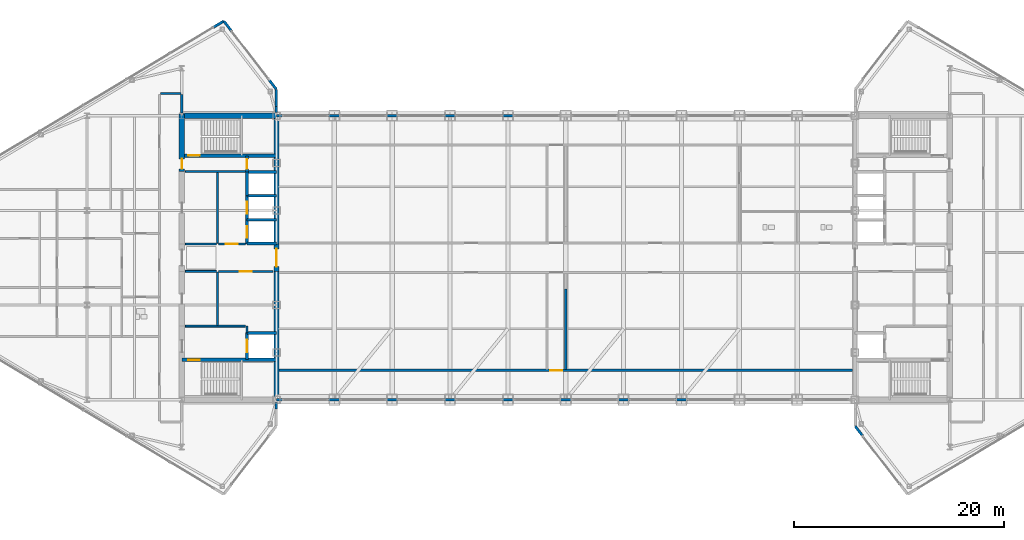
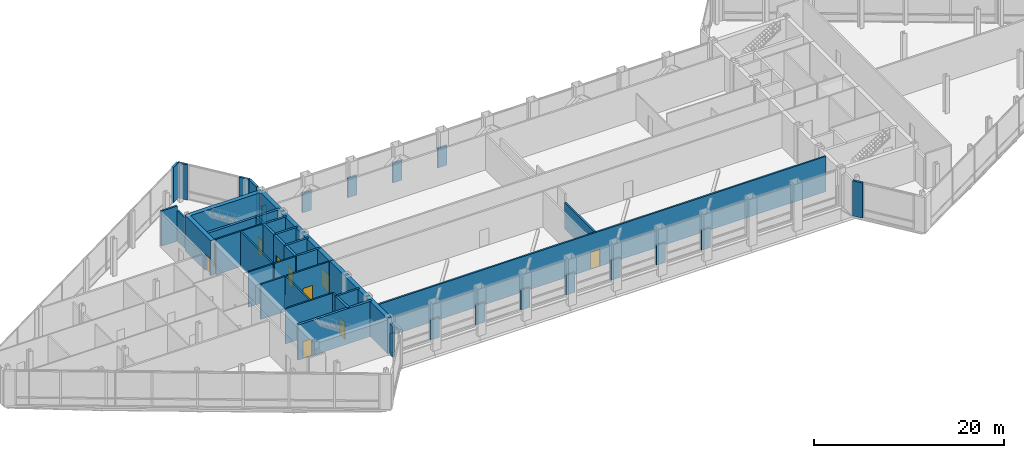
# One storey, part 23 of 29: 50 walls, 11 doors, 11 openings.
"""IFC4 building model written with IfcOpenShell, lengths in metres."""

import ifcopenshell
import ifcopenshell.guid

model = None  # the IFC model being written
_history = None  # IfcOwnerHistory: only IFC2X3 demands one
_inside = {}  # id of a spatial element -> (the spatial element, [elements in it])
_under = {}  # id of a project, library or spatial element -> (it, [spatial elements below it])
_declared = {}  # id of a project -> (the project, [libraries it declares])
_typed = {}  # id of a type object -> (the type object, [elements of that type])
_made_of = {}  # id of a material, layer set ... -> (it, [elements and type objects made of it])


def new_model(schema):
    """Start an empty IFC model of exactly this schema.

    Asked for "IFC4X3", IfcOpenShell would pick the latest addendum, in which some entities
    have other attributes; the version numbers below select the first issue.
    IFC2X3 requires an IfcOwnerHistory on every rooted entity: one is made here for all.
    """
    global model, _history
    if schema == "IFC4X3":
        model = ifcopenshell.file(schema_version=(4, 3, 0, 0))
    else:
        model = ifcopenshell.file(schema=schema)
    _inside.clear()
    _under.clear()
    _declared.clear()
    _typed.clear()
    _made_of.clear()
    _history = None
    if model.schema == "IFC2X3":
        org = make("IfcOrganization", Name="unknown")
        user = make(
            "IfcPersonAndOrganization",
            ThePerson=make("IfcPerson", FamilyName="unknown"),
            TheOrganization=org,
        )
        app = make(
            "IfcApplication",
            ApplicationDeveloper=org,
            Version="unknown",
            ApplicationFullName="unknown",
            ApplicationIdentifier="unknown",
        )
        _history = make(
            "IfcOwnerHistory",
            OwningUser=user,
            OwningApplication=app,
            ChangeAction="ADDED",
            CreationDate=0,
        )
    return model


def make(cls, **values):
    """One entity of the class cls with the attributes given. An attribute that is None is left unset."""
    return model.create_entity(
        cls, **{name: value for name, value in values.items() if value is not None}
    )


def rooted(cls, **values):
    """An entity with a GlobalId (a new one), such as an element, a storey or a relation."""
    return make(cls, GlobalId=ifcopenshell.guid.new(), OwnerHistory=_history, **values)


def si_unit(unit_type, name, prefix=None):
    """IfcSIUnit, for example si_unit("LENGTHUNIT", "METRE", prefix="MILLI")."""
    return make("IfcSIUnit", UnitType=unit_type, Prefix=prefix, Name=name)


def assignment(units):
    """IfcUnitAssignment: the units of a project."""
    return None if units is None else make("IfcUnitAssignment", Units=units)


def point(xyz):
    """IfcCartesianPoint."""
    return None if xyz is None else make("IfcCartesianPoint", Coordinates=xyz)


def direction(xyz):
    """IfcDirection."""
    return None if xyz is None else make("IfcDirection", DirectionRatios=xyz)


def frame(location, z_axis=None, x_axis=None):
    """IfcAxis2Placement3D, a coordinate frame: its origin and axes. An axis left out is left unset."""
    return make(
        "IfcAxis2Placement3D",
        Location=point(location),
        Axis=direction(z_axis),
        RefDirection=direction(x_axis),
    )


def frame_2d(location, x_axis=None):
    """IfcAxis2Placement2D, a coordinate frame in the plane: its origin and x axis."""
    return make(
        "IfcAxis2Placement2D", Location=point(location), RefDirection=direction(x_axis)
    )


def origin():
    """The frame at (0, 0, 0) with its axes left unset."""
    return frame((0.0, 0.0, 0.0))


def place(relative_to, where):
    """IfcLocalPlacement: puts the frame where relative to a parent placement (None: the world)."""
    return make(
        "IfcLocalPlacement", PlacementRelTo=relative_to, RelativePlacement=where
    )


def context(
    kind, dimensions, precision=None, world=None, true_north=None, identifier=None
):
    """IfcGeometricRepresentationContext, for example the 3D "Model" context."""
    return make(
        "IfcGeometricRepresentationContext",
        ContextIdentifier=identifier,
        ContextType=kind,
        CoordinateSpaceDimension=dimensions,
        Precision=precision,
        WorldCoordinateSystem=world,
        TrueNorth=true_north,
    )


def subcontext(parent, identifier, kind, view, scale=None):
    """IfcGeometricRepresentationSubContext, for example "Body" below "Model"."""
    return make(
        "IfcGeometricRepresentationSubContext",
        ContextIdentifier=identifier,
        ContextType=kind,
        ParentContext=parent,
        TargetScale=scale,
        TargetView=view,
    )


def project(units=None, contexts=None):
    """IfcProject with its units and contexts."""
    return rooted(
        "IfcProject",
        Name="project",
        RepresentationContexts=contexts,
        UnitsInContext=assignment(units),
    )


def spatial(cls, under=None, at=None, **own):
    """A site, building, storey or space (cls), placed at a placement, below another one or the project."""
    s = rooted(cls, ObjectPlacement=at, **own)
    if under is not None:
        _under.setdefault(under.id(), (under, []))[1].append(s)
    return s


def profile(cls, at=None, kind="AREA", **sizes):
    """A parametric profile (cls). Its sizes go by their IFC names, for example OverallWidth=200.0."""
    return make(cls, ProfileType=kind, Position=at, **sizes)


def rectangle(**sizes):
    """IfcRectangleProfileDef."""
    return profile("IfcRectangleProfileDef", **sizes)


def extrude(swept, where, along, depth):
    """IfcExtrudedAreaSolid: the profile swept, set in the frame where, extruded along a direction by depth."""
    return make(
        "IfcExtrudedAreaSolid",
        SweptArea=swept,
        Position=where,
        ExtrudedDirection=direction(along),
        Depth=depth,
    )


def shape(context_of_items, identifier, shape_type, items):
    """IfcShapeRepresentation: the items that make up one representation, for example the "Body"."""
    return make(
        "IfcShapeRepresentation",
        ContextOfItems=context_of_items,
        RepresentationIdentifier=identifier,
        RepresentationType=shape_type,
        Items=items,
    )


def source(mapping_origin, context_of_items, identifier, shape_type, items):
    """IfcRepresentationMap: a shape defined once, which mapped items show again and again."""
    return make(
        "IfcRepresentationMap",
        MappingOrigin=mapping_origin,
        MappedRepresentation=shape(context_of_items, identifier, shape_type, items),
    )


def transform(
    local_origin,
    x_axis=None,
    y_axis=None,
    z_axis=None,
    scale=None,
    scale2=None,
    scale3=None,
    uniform=True,
):
    """IfcCartesianTransformationOperator3D, or its non-uniform kind. x_axis, y_axis, z_axis: its Axis1, 2, 3."""
    if uniform:
        return make(
            "IfcCartesianTransformationOperator3D",
            Axis1=direction(x_axis),
            Axis2=direction(y_axis),
            LocalOrigin=point(local_origin),
            Scale=scale,
            Axis3=direction(z_axis),
        )
    return make(
        "IfcCartesianTransformationOperator3DnonUniform",
        Axis1=direction(x_axis),
        Axis2=direction(y_axis),
        LocalOrigin=point(local_origin),
        Scale=scale,
        Axis3=direction(z_axis),
        Scale2=scale2,
        Scale3=scale3,
    )


def mapped(mapping_source, mapping_target):
    """IfcMappedItem: shows the shape of a source again, moved by a transform."""
    return make(
        "IfcMappedItem", MappingSource=mapping_source, MappingTarget=mapping_target
    )


def material(Name=None, Category=None):
    """IfcMaterial."""
    return make("IfcMaterial", Name=Name, Category=Category)


def layer(
    of_material, thickness, ventilated=None, Name=None, Category=None, Priority=None
):
    """IfcMaterialLayer: one layer of a wall or slab, of a material (None: an air gap)."""
    return make(
        "IfcMaterialLayer",
        Material=of_material,
        LayerThickness=thickness,
        IsVentilated=ventilated,
        Name=Name,
        Category=Category,
        Priority=Priority,
    )


def layer_set(layers, Name=None):
    """IfcMaterialLayerSet."""
    return make("IfcMaterialLayerSet", MaterialLayers=layers, LayerSetName=Name)


def made_of(thing, what):
    """Note that an element or type object is made of a material, layer set ...; save() writes the relation."""
    if what is not None:
        _made_of.setdefault(what.id(), (what, []))[1].append(thing)
    return thing


def type_object(cls, material=None, **own):
    """A type object (cls), such as IfcWallType, which elements share."""
    return made_of(rooted(cls, **own), material)


def type_shapes(of_type, sources):
    """Give a type object the sources (RepresentationMaps) that its elements show as mapped items."""
    of_type.RepresentationMaps = sources


def element(
    cls,
    number,
    at=None,
    inside=None,
    cuts=None,
    type_object=None,
    material=None,
    context=None,
    identifier="Body",
    shape_type=None,
    held_by="IfcProductDefinitionShape",
    body=None,
    shapes=None,
    **own,
):
    """One element of the class cls, such as IfcWall. Its Tag is "e" and its number.

    at: its placement. inside: the storey or other place that contains it. cuts: it is an
    opening in that element (IfcRelVoidsElement). A single representation is given by context,
    identifier, shape_type and body (its items); several are given by shapes. held_by: the class
    of the entity that holds the representations. save() writes the other relations.
    """
    e = rooted(cls, Tag="e%d" % number, ObjectPlacement=at, **own)
    if body is not None:
        shapes = [shape(context, identifier, shape_type, body)]
    if shapes is not None:
        e.Representation = make(held_by, Representations=shapes)
    if inside is not None:
        _inside.setdefault(inside.id(), (inside, []))[1].append(e)
    if cuts is not None:
        rooted(
            "IfcRelVoidsElement", RelatingBuildingElement=cuts, RelatedOpeningElement=e
        )
    if type_object is not None:
        _typed.setdefault(type_object.id(), (type_object, []))[1].append(e)
    return made_of(e, material)


def fill(opening, filler):
    """IfcRelFillsElement: the door or window that sits in an opening."""
    return rooted(
        "IfcRelFillsElement",
        RelatingOpeningElement=opening,
        RelatedBuildingElement=filler,
    )


def aggregate(whole, parts):
    """IfcRelAggregates: a whole, such as a stair, and the parts it consists of."""
    return rooted("IfcRelAggregates", RelatingObject=whole, RelatedObjects=parts)


def save(model, path):
    """Write the relations noted so far, then the file.

    IfcRelAggregates (storeys below a building ...), IfcRelContainedInSpatialStructure (elements
    in a storey), IfcRelDefinesByType, IfcRelAssociatesMaterial and IfcRelDeclares: one each for
    every whole, place, type object, material and project.
    """
    for whole, parts in _under.values():
        aggregate(whole, parts)
    for where, things in _inside.values():
        rooted(
            "IfcRelContainedInSpatialStructure",
            RelatedElements=things,
            RelatingStructure=where,
        )
    for kind, things in _typed.values():
        rooted("IfcRelDefinesByType", RelatedObjects=things, RelatingType=kind)
    for what, things in _made_of.values():
        rooted("IfcRelAssociatesMaterial", RelatedObjects=things, RelatingMaterial=what)
    for by, libraries in _declared.values():
        rooted("IfcRelDeclares", RelatingContext=by, RelatedDefinitions=libraries)
    model.write(path)


model = new_model("IFC4")

# Units and contexts
model_context = context("Model", 3, precision=1e-05, world=origin(), true_north=direction((0.0, 1.0)))
body_context = subcontext(model_context, "Body", "Model", "MODEL_VIEW")
ifc_project = project(units=[si_unit("LENGTHUNIT", "METRE"), si_unit("AREAUNIT", "SQUARE_METRE"), si_unit("VOLUMEUNIT", "CUBIC_METRE"), si_unit("PLANEANGLEUNIT", "RADIAN"), si_unit("MASSUNIT", "GRAM", prefix="KILO")], contexts=[model_context])

# Site, building, storey
site_placement = place(None, origin())
site = spatial("IfcSite", under=ifc_project, at=site_placement, CompositionType="ELEMENT")
building_placement = place(site_placement, origin())
building = spatial("IfcBuilding", under=site, at=building_placement, Name="Seokmaru Belvedere", CompositionType="ELEMENT")
storey_placement = place(building_placement, frame((0.0, 0.0, 229.800048828125)))
storey = spatial("IfcBuildingStorey", under=building, at=storey_placement, Name="L61", CompositionType="ELEMENT", Elevation=229.800048828125)

# Walls
ifc_material_1 = material(Name="Anodised Bronze Aluminium", Category="aluminium")
ifc_layer_1 = layer(ifc_material_1, 0.2099609375)
ifc_layer_set_1 = layer_set([ifc_layer_1], Name="Anodised Bronze Aluminium")
wall_type_1 = type_object("IfcWallType", Name="Bridge Column Spandrel Closure Pier 210", PredefinedType="SOLIDWALL", material=ifc_layer_set_1)
for number, where, z_axis, x_axis, name in (
    (1, (-27.489990234375, -13.5, 0.0), (0.0, 0.0, 1.0), (1.0, 0.0, 0.0), "L61 Bridge South Column Closure Pier 01"),
    (2, (-27.489990234375, 13.5, 0.0), (0.0, 0.0, 1.0), (1.0, 0.0, 0.0), "L61 Bridge North Column Closure Pier 01"),
):
    element("IfcWall", number, at=place(storey_placement, frame(where, z_axis=z_axis, x_axis=x_axis)), inside=storey, type_object=wall_type_1, Name=name, PredefinedType="SOLIDWALL", context=body_context, shape_type="SweptSolid", body=[
        extrude(rectangle(XDim=0.5400390625, YDim=0.2099609375, at=frame_2d((0.27001953125, 0.0))), origin(), (0.0, 0.0, 1.0), 2.5400390625),
    ])
for number, where, z_axis, x_axis, name in (
    (3, (-22.550048828125, -13.5, 0.0), (0.0, 0.0, 1.0), (1.0, 0.0, 0.0), "L61 Bridge South Column Closure Pier 02"),
    (4, (-22.550048828125, 13.5, 0.0), (0.0, 0.0, 1.0), (1.0, 0.0, 0.0), "L61 Bridge North Column Closure Pier 02"),
    (5, (-17.050048828125, -13.5, 0.0), (0.0, 0.0, 1.0), (1.0, 0.0, 0.0), "L61 Bridge South Column Closure Pier 03"),
    (6, (-17.050048828125, 13.5, 0.0), (0.0, 0.0, 1.0), (1.0, 0.0, 0.0), "L61 Bridge North Column Closure Pier 03"),
    (7, (-11.550048828125, -13.5, 0.0), (0.0, 0.0, 1.0), (1.0, 0.0, 0.0), "L61 Bridge South Column Closure Pier 04"),
    (8, (-11.550048828125, 13.5, 0.0), (0.0, 0.0, 1.0), (1.0, 0.0, 0.0), "L61 Bridge North Column Closure Pier 04"),
    (9, (-6.050048828125, -13.5, 0.0), (0.0, 0.0, 1.0), (1.0, 0.0, 0.0), "L61 Bridge South Column Closure Pier 05"),
    (10, (-6.050048828125, 13.5, 0.0), (0.0, 0.0, 1.0), (1.0, 0.0, 0.0), "L61 Bridge North Column Closure Pier 05"),
    (11, (-0.550048828125, -13.5, 0.0), (0.0, 0.0, 1.0), (1.0, 0.0, 0.0), "L61 Bridge South Column Closure Pier 06"),
    (12, (4.949951171875, -13.5, 0.0), (0.0, 0.0, 1.0), (1.0, 0.0, 0.0), "L61 Bridge South Column Closure Pier 07"),
    (13, (10.449951171875, -13.5, 0.0), (0.0, 0.0, 1.0), (1.0, 0.0, 0.0), "L61 Bridge South Column Closure Pier 08"),
):
    element("IfcWall", number, at=place(storey_placement, frame(where, z_axis=z_axis, x_axis=x_axis)), inside=storey, type_object=wall_type_1, Name=name, PredefinedType="SOLIDWALL", context=body_context, shape_type="SweptSolid", body=[
        extrude(rectangle(XDim=1.10009765625, YDim=0.2099609375, at=frame_2d((0.550048828125, 0.0))), origin(), (0.0, 0.0, 1.0), 2.5400390625),
    ])
ifc_material_2 = material(Name="Fire-Rated Gypsum Shaftwall")
ifc_layer_2 = layer(ifc_material_2, 0.179931640625)
ifc_layer_set_2 = layer_set([ifc_layer_2], Name="Fire-Rated Gypsum Shaftwall")
wall_type_2 = type_object("IfcWallType", Name="Core Service Fire Partition 180", PredefinedType="PARTITIONING", material=ifc_layer_set_2)
wall_1_placement = place(storey_placement, frame((-36.14990234375, -6.5, 0.0), z_axis=(0.0, 0.0, 1.0), x_axis=(1.0, 0.0, 0.0)))
element("IfcWall", 14, at=wall_1_placement, inside=storey, type_object=wall_type_2, Name="L61 West Firefighting Lobby Partition", PredefinedType="PARTITIONING", context=body_context, shape_type="SweptSolid", body=[
    extrude(rectangle(XDim=5.699951171875, YDim=0.179931640625, at=frame_2d((2.85009765625, 0.0))), origin(), (0.0, 0.0, 1.0), 4.5400390625),
])
wall_2_placement = place(storey_placement, frame((-30.300048828125, -7.1201171875, 0.0), z_axis=(0.0, 0.0, 1.0), x_axis=(0.0, 1.0, 0.0)))
element("IfcWall", 15, at=wall_2_placement, inside=storey, type_object=wall_type_2, Name="L61 West Firefighting Lobby East Closure Wall", PredefinedType="PARTITIONING", context=body_context, shape_type="SweptSolid", body=[
    extrude(rectangle(XDim=0.6201171875, YDim=0.179931640625, at=frame_2d((0.31005859375, 0.0))), origin(), (0.0, 0.0, 1.0), 4.5400390625),
])
wall_3_placement = place(storey_placement, frame((-36.14990234375, 8.199951171875, 0.0), z_axis=(0.0, 0.0, 1.0), x_axis=(1.0, 0.0, 0.0)))
element("IfcWall", 16, at=wall_3_placement, inside=storey, type_object=wall_type_2, Name="L61 West Smokeproof Vestibule Partition", PredefinedType="PARTITIONING", context=body_context, shape_type="SweptSolid", body=[
    extrude(rectangle(XDim=5.699951171875, YDim=0.179931640625, at=frame_2d((2.85009765625, 0.0))), origin(), (0.0, 0.0, 1.0), 4.5400390625),
])
wall_4_placement = place(storey_placement, frame((-33.10009765625, -6.419921875, 0.0), z_axis=(0.0, 0.0, 1.0), x_axis=(0.0, 1.0, 0.0)))
element("IfcWall", 17, at=wall_4_placement, inside=storey, type_object=wall_type_2, Name="L61 West South Core Service Back Wall", PredefinedType="PARTITIONING", context=body_context, shape_type="SweptSolid", body=[
    extrude(rectangle(XDim=5.0400390625, YDim=0.179931640625, at=frame_2d((2.52001953125, 0.0))), origin(), (0.0, 0.0, 1.0), 4.5400390625),
])
wall_5_placement = place(storey_placement, frame((-33.10009765625, 1.3798828125, 0.0), z_axis=(0.0, 0.0, 1.0), x_axis=(0.0, 1.0, 0.0)))
element("IfcWall", 18, at=wall_5_placement, inside=storey, type_object=wall_type_2, Name="L61 West North Core Service Back Wall", PredefinedType="PARTITIONING", context=body_context, shape_type="SweptSolid", body=[
    extrude(rectangle(XDim=6.740234375, YDim=0.179931640625, at=frame_2d((3.3701171875, 0.0))), origin(), (0.0, 0.0, 1.0), 4.5400390625),
])

# Wall, opening, door
wall_6_placement = place(storey_placement, frame((-33.02001953125, -1.300048828125, 0.0), z_axis=(0.0, 0.0, 1.0), x_axis=(1.0, 0.0, 0.0)))
wall_6 = element("IfcWall", 19, at=wall_6_placement, inside=storey, type_object=wall_type_2, Name="L61 West South Lift Lobby Foyer Wall", PredefinedType="PARTITIONING", context=body_context, shape_type="SweptSolid", body=[
    extrude(rectangle(XDim=5.169921875, YDim=0.179931640625, at=frame_2d((2.5849609375, 0.0))), origin(), (0.0, 0.0, 1.0), 4.5400390625),
])
opening_1_placement = place(wall_6_placement, frame((2.010009765625, 0.0, 0.0)))
opening_1 = element("IfcOpeningElement", 20, at=opening_1_placement, cuts=wall_6, Name="Opening D02", PredefinedType="OPENING", context=body_context, shape_type="SweptSolid", body=[
    extrude(rectangle(XDim=1.14990234375, YDim=2.199951171875, at=frame_2d((0.574951171875, 1.10009765625))), frame((0.0, 0.10009765625, 0.0), z_axis=(0.0, -1.0, 0.0), x_axis=(1.0, 0.0, 0.0)), (0.0, 0.0, 1.0), 0.199951171875),
])
ifc_material_3 = material(Name="Fire-Rated Steel Leaf", Category="steel")
door_type_1 = type_object("IfcDoorType", Name="Lobby and Vestibule Fire Door 1150x2200", OperationType="NOTDEFINED", PredefinedType="DOOR", material=ifc_material_3)
shared_shape_1 = source(origin(), body_context, "Body", "SweptSolid", [
    extrude(rectangle(XDim=1.14990234375, YDim=2.199951171875, at=frame_2d((0.574951171875, 1.10009765625))), frame((0.0, 0.02490234375, 0.0), z_axis=(0.0, -1.0, 0.0), x_axis=(1.0, 0.0, 0.0)), (0.0, 0.0, 1.0), 0.050048828125),
])
type_shapes(door_type_1, [shared_shape_1])
door_1_placement = place(opening_1_placement, origin())
door_1 = element("IfcDoor", 21, at=door_1_placement, inside=storey, type_object=door_type_1, Name="L61 West South Core Foyer Door", OperationType="SINGLE_SWING_LEFT", OverallHeight=2.199951171875, OverallWidth=1.14990234375, PredefinedType="DOOR", context=body_context, shape_type="MappedRepresentation", body=[
    mapped(shared_shape_1, transform((0.0, 0.0, 0.0), scale=1.0)),
])
fill(opening_1, door_1)

wall_7_placement = place(storey_placement, frame((-33.02001953125, 1.300048828125, 0.0), z_axis=(0.0, 0.0, 1.0), x_axis=(1.0, 0.0, 0.0)))
wall_7 = element("IfcWall", 22, at=wall_7_placement, inside=storey, type_object=wall_type_2, Name="L61 West North Lift Lobby Foyer Wall", PredefinedType="PARTITIONING", context=body_context, shape_type="SweptSolid", body=[
    extrude(rectangle(XDim=2.570068359375, YDim=0.179931640625, at=frame_2d((1.28515625, 0.0))), origin(), (0.0, 0.0, 1.0), 4.5400390625),
])
opening_2_placement = place(wall_7_placement, frame((0.7099609375, 0.0, 0.0)))
opening_2 = element("IfcOpeningElement", 23, at=opening_2_placement, cuts=wall_7, Name="Opening D02", PredefinedType="OPENING", context=body_context, shape_type="SweptSolid", body=[
    extrude(rectangle(XDim=1.14990234375, YDim=2.199951171875, at=frame_2d((0.574951171875, 1.10009765625))), frame((0.0, 0.10009765625, 0.0), z_axis=(0.0, -1.0, 0.0), x_axis=(1.0, 0.0, 0.0)), (0.0, 0.0, 1.0), 0.199951171875),
])
door_2_placement = place(opening_2_placement, origin())
door_2 = element("IfcDoor", 24, at=door_2_placement, inside=storey, type_object=door_type_1, Name="L61 West North Lift Lobby Door", OperationType="SINGLE_SWING_RIGHT", OverallHeight=2.199951171875, OverallWidth=1.14990234375, PredefinedType="DOOR", context=body_context, shape_type="MappedRepresentation", body=[
    mapped(shared_shape_1, transform((0.0, 0.0, 0.0), scale=1.0)),
])
fill(opening_2, door_2)

# Walls
for number, where, z_axis, x_axis, name in (
    (25, (-36.14990234375, -1.300048828125, 0.0), (0.0, 0.0, 1.0), (1.0, 0.0, 0.0), "L61 West Foyer Side Wall S"),
    (26, (-36.14990234375, 1.300048828125, 0.0), (0.0, 0.0, 1.0), (1.0, 0.0, 0.0), "L61 West Foyer Side Wall N"),
):
    element("IfcWall", number, at=place(storey_placement, frame(where, z_axis=z_axis, x_axis=x_axis)), inside=storey, type_object=wall_type_2, Name=name, PredefinedType="PARTITIONING", context=body_context, shape_type="SweptSolid", body=[
        extrude(rectangle(XDim=2.949951171875, YDim=0.179931640625, at=frame_2d((1.47509765625, 0.0))), origin(), (0.0, 0.0, 1.0), 4.5400390625),
    ])
ifc_material_4 = material(Name="Concrete C50 (50 MPa)", Category="concrete")
ifc_layer_3 = layer(ifc_material_4, 0.25)
ifc_layer_set_3 = layer_set([ifc_layer_3], Name="Concrete C50 (50 MPa)")
wall_type_3 = type_object("IfcWallType", Name="Hoistway Transverse Concrete Divider Wall 250", PredefinedType="SHEAR", material=ifc_layer_set_3)
for number, where, z_axis, x_axis, name in (
    (27, (-30.300048828125, -7.14990234375, 0.0), (0.0, 0.0, 1.0), (1.0, 0.0, 0.0), "L61 West Hoistway Divider Core Wall 1"),
    (28, (-30.300048828125, 1.35009765625, 0.0), (0.0, 0.0, 1.0), (1.0, 0.0, 0.0), "L61 West Hoistway Divider Core Wall 2"),
    (29, (-30.300048828125, 3.60009765625, 0.0), (0.0, 0.0, 1.0), (1.0, 0.0, 0.0), "L61 West Hoistway Divider Core Wall 3"),
    (30, (-30.300048828125, 5.89990234375, 0.0), (0.0, 0.0, 1.0), (1.0, 0.0, 0.0), "L61 West Hoistway Divider Core Wall 4"),
    (31, (-30.300048828125, 8.14990234375, 0.0), (0.0, 0.0, 1.0), (1.0, 0.0, 0.0), "L61 West Hoistway Divider Core Wall 5"),
):
    element("IfcWall", number, at=place(storey_placement, frame(where, z_axis=z_axis, x_axis=x_axis)), inside=storey, type_object=wall_type_3, Name=name, PredefinedType="SHEAR", context=body_context, shape_type="SweptSolid", body=[
        extrude(rectangle(XDim=2.800048828125, YDim=0.25, at=frame_2d((1.39990234375, 0.0))), origin(), (0.0, 0.0, 1.0), 4.5400390625),
    ])

# Wall, opening, door
ifc_layer_4 = layer(ifc_material_2, 0.199951171875)
ifc_layer_set_4 = layer_set([ifc_layer_4], Name="Fire-Rated Gypsum Shaftwall")
wall_type_4 = type_object("IfcWallType", Name="Inter-Tenancy Fire Compartment Partition 200", PredefinedType="PARTITIONING", material=ifc_layer_set_4)
wall_8_placement = place(storey_placement, frame((-27.2451171875, -10.699951171875, 0.0), z_axis=(0.0, 0.0, 1.0), x_axis=(1.0, 0.0, 0.0)))
wall_8 = element("IfcWall", 32, at=wall_8_placement, inside=storey, type_object=wall_type_4, Name="L61 Interior Partition 003", PredefinedType="PARTITIONING", context=body_context, shape_type="SweptSolid", body=[
    extrude(rectangle(XDim=54.490234375, YDim=0.199951171875, at=frame_2d((27.2451171875, 0.0))), origin(), (0.0, 0.0, 1.0), 4.5400390625),
])
opening_3_placement = place(wall_8_placement, frame((25.77001953125, 0.0, 0.0)))
opening_3 = element("IfcOpeningElement", 33, at=opening_3_placement, cuts=wall_8, Name="Opening D02", PredefinedType="OPENING", context=body_context, shape_type="SweptSolid", body=[
    extrude(rectangle(XDim=1.14990234375, YDim=2.199951171875, at=frame_2d((0.574951171875, 1.10009765625))), frame((0.0, 0.10986328125, 0.0), z_axis=(0.0, -1.0, 0.0), x_axis=(1.0, 0.0, 0.0)), (0.0, 0.0, 1.0), 0.219970703125),
])
door_3_placement = place(opening_3_placement, origin())
door_3 = element("IfcDoor", 34, at=door_3_placement, inside=storey, type_object=door_type_1, Name="L61 Interior Door 020", OperationType="SINGLE_SWING_LEFT", OverallHeight=2.199951171875, OverallWidth=1.14990234375, PredefinedType="DOOR", context=body_context, shape_type="MappedRepresentation", body=[
    mapped(shared_shape_1, transform((0.0, 0.0, 0.0), scale=1.0)),
])
fill(opening_3, door_3)

# Walls
wall_9_placement = place(storey_placement, frame((-38.514892578125, 15.60009765625, 0.0), z_axis=(0.0, 0.0, 1.0), x_axis=(1.0, 0.0, 0.0)))
element("IfcWall", 35, at=wall_9_placement, inside=storey, type_object=wall_type_4, Name="L61 Interior Partition 015", PredefinedType="PARTITIONING", context=body_context, shape_type="SweptSolid", body=[
    extrude(rectangle(XDim=1.929931640625, YDim=0.199951171875, at=frame_2d((0.96484375, 0.0))), origin(), (0.0, 0.0, 1.0), 4.5400390625),
])
wall_10_placement = place(storey_placement, frame((-36.5, 13.7548828125, 0.0), z_axis=(0.0, 0.0, 1.0), x_axis=(0.0, 1.0, 0.0)))
element("IfcWall", 36, at=wall_10_placement, inside=storey, type_object=wall_type_4, Name="L61 Interior Partition 024", PredefinedType="PARTITIONING", context=body_context, shape_type="SweptSolid", body=[
    extrude(rectangle(XDim=1.760009765625, YDim=0.199951171875, at=frame_2d((0.8798828125, 0.0))), origin(), (0.0, 0.0, 1.0), 3.93994140625),
])
wall_11_placement = place(storey_placement, frame((0.0, -10.614990234375, 0.0), z_axis=(0.0, 0.0, 1.0), x_axis=(0.0, 1.0, 0.0)))
element("IfcWall", 37, at=wall_11_placement, inside=storey, type_object=wall_type_4, Name="L61 Interior Partition 027", PredefinedType="PARTITIONING", context=body_context, shape_type="SweptSolid", body=[
    extrude(rectangle(XDim=7.635009765625, YDim=0.199951171875, at=frame_2d((3.8173828125, 0.0))), origin(), (0.0, 0.0, 1.0), 3.43994140625),
])

# Wall, opening, door
ifc_layer_5 = layer(ifc_material_4, 0.300048828125)
ifc_layer_set_5 = layer_set([ifc_layer_5], Name="Concrete C50 (50 MPa)")
wall_type_5 = type_object("IfcWallType", Name="Internal Core Stair and Hoistway Wall 300", PredefinedType="SHEAR", material=ifc_layer_set_5)
wall_12_placement = place(storey_placement, frame((-36.5, -9.699951171875, 0.0), z_axis=(0.0, 0.0, 1.0), x_axis=(1.0, 0.0, 0.0)))
wall_12 = element("IfcWall", 38, at=wall_12_placement, inside=storey, type_object=wall_type_5, Name="L61 West Stair ST-1 Enclosure Wall", PredefinedType="SHEAR", context=body_context, shape_type="SweptSolid", body=[
    extrude(rectangle(XDim=9.0, YDim=0.300048828125, at=frame_2d((4.5, 0.0))), origin(), (0.0, 0.0, 1.0), 4.5400390625),
])
opening_4_placement = place(wall_12_placement, frame((0.60009765625, 0.0, 0.0)))
opening_4 = element("IfcOpeningElement", 39, at=opening_4_placement, cuts=wall_12, Name="Opening D01", PredefinedType="OPENING", context=body_context, shape_type="SweptSolid", body=[
    extrude(rectangle(XDim=1.10009765625, YDim=2.199951171875, at=frame_2d((0.550048828125, 1.10009765625))), frame((0.0, 0.16015625, 0.0), z_axis=(0.0, -1.0, 0.0), x_axis=(1.0, 0.0, 0.0)), (0.0, 0.0, 1.0), 0.320068359375),
])
door_type_2 = type_object("IfcDoorType", Name="Special Escape Stair Smokeproof Fire Door 1100x2200", OperationType="NOTDEFINED", PredefinedType="DOOR", material=ifc_material_3)
shared_shape_2 = source(origin(), body_context, "Body", "SweptSolid", [
    extrude(rectangle(XDim=1.10009765625, YDim=2.199951171875, at=frame_2d((0.550048828125, 1.10009765625))), frame((0.0, 0.02490234375, 0.0), z_axis=(0.0, -1.0, 0.0), x_axis=(1.0, 0.0, 0.0)), (0.0, 0.0, 1.0), 0.050048828125),
])
type_shapes(door_type_2, [shared_shape_2])
door_4_placement = place(opening_4_placement, frame((1.10009765625, 0.0, 0.0), z_axis=(0.0, 0.0, 1.0), x_axis=(-1.0, 0.0, 0.0)))
door_4 = element("IfcDoor", 40, at=door_4_placement, inside=storey, type_object=door_type_2, Name="L61 West Special Escape Stair ST-1 Door", OperationType="SINGLE_SWING_LEFT", OverallHeight=2.199951171875, OverallWidth=1.10009765625, PredefinedType="DOOR", context=body_context, shape_type="MappedRepresentation", body=[
    mapped(shared_shape_2, transform((0.0, 0.0, 0.0), scale=1.0)),
])
fill(opening_4, door_4)

wall_13_placement = place(storey_placement, frame((-36.5, 9.699951171875, 0.0), z_axis=(0.0, 0.0, 1.0), x_axis=(1.0, 0.0, 0.0)))
wall_13 = element("IfcWall", 41, at=wall_13_placement, inside=storey, type_object=wall_type_5, Name="L61 West Stair ST-2 Enclosure Wall", PredefinedType="SHEAR", context=body_context, shape_type="SweptSolid", body=[
    extrude(rectangle(XDim=9.0, YDim=0.300048828125, at=frame_2d((4.5, 0.0))), origin(), (0.0, 0.0, 1.0), 4.5400390625),
])
opening_5_placement = place(wall_13_placement, frame((0.60009765625, 0.0, 0.0)))
opening_5 = element("IfcOpeningElement", 42, at=opening_5_placement, cuts=wall_13, Name="Opening D01", PredefinedType="OPENING", context=body_context, shape_type="SweptSolid", body=[
    extrude(rectangle(XDim=1.10009765625, YDim=2.199951171875, at=frame_2d((0.550048828125, 1.10009765625))), frame((0.0, 0.16015625, 0.0), z_axis=(0.0, -1.0, 0.0), x_axis=(1.0, 0.0, 0.0)), (0.0, 0.0, 1.0), 0.320068359375),
])
door_5_placement = place(opening_5_placement, origin())
door_5 = element("IfcDoor", 43, at=door_5_placement, inside=storey, type_object=door_type_2, Name="L61 West Special Escape Stair ST-2 Door", OperationType="SINGLE_SWING_RIGHT", OverallHeight=2.199951171875, OverallWidth=1.10009765625, PredefinedType="DOOR", context=body_context, shape_type="MappedRepresentation", body=[
    mapped(shared_shape_2, transform((0.0, 0.0, 0.0), scale=1.0)),
])
fill(opening_5, door_5)

wall_14_placement = place(storey_placement, frame((-30.300048828125, -9.679931640625, 0.0), z_axis=(0.0, 0.0, 1.0), x_axis=(0.0, 1.0, 0.0)))
wall_14 = element("IfcWall", 44, at=wall_14_placement, inside=storey, type_object=wall_type_5, Name="L61 West Firefighting Lift Shaft Front Wall", PredefinedType="SHEAR", context=body_context, shape_type="SweptSolid", body=[
    extrude(rectangle(XDim=2.559814453125, YDim=0.300048828125, at=frame_2d((1.27978515625, 0.0))), origin(), (0.0, 0.0, 1.0), 4.5400390625),
])
opening_6_placement = place(wall_14_placement, frame((0.679931640625, 0.0, 0.0)))
opening_6 = element("IfcOpeningElement", 45, at=opening_6_placement, cuts=wall_14, Name="Opening LD2", PredefinedType="OPENING", context=body_context, shape_type="SweptSolid", body=[
    extrude(rectangle(XDim=1.199951171875, YDim=2.25, at=frame_2d((0.60009765625, 1.125))), frame((0.0, 0.16015625, 0.0), z_axis=(0.0, -1.0, 0.0), x_axis=(1.0, 0.0, 0.0)), (0.0, 0.0, 1.0), 0.320068359375),
])
ifc_material_5 = material(Name="Stainless Steel 316", Category="steel")
door_type_3 = type_object("IfcDoorType", Name="Firefighting Lift Sliding Landing Door 1200x2250", OperationType="DOUBLE_DOOR_SLIDING", PredefinedType="DOOR", material=ifc_material_5)
shared_shape_3 = source(origin(), body_context, "Body", "SweptSolid", [
    extrude(rectangle(XDim=1.199951171875, YDim=2.25, at=frame_2d((0.60009765625, 1.125))), frame((0.0, 0.02490234375, 0.0), z_axis=(0.0, -1.0, 0.0), x_axis=(1.0, 0.0, 0.0)), (0.0, 0.0, 1.0), 0.050048828125),
])
type_shapes(door_type_3, [shared_shape_3])
door_6_placement = place(opening_6_placement, origin())
door_6 = element("IfcDoor", 46, at=door_6_placement, inside=storey, type_object=door_type_3, Name="L61 West Firefighting Lift Landing Door", OperationType="DOUBLE_DOOR_SLIDING", OverallHeight=2.25, OverallWidth=1.199951171875, PredefinedType="DOOR", context=body_context, shape_type="MappedRepresentation", body=[
    mapped(shared_shape_3, transform((0.0, 0.0, 0.0), scale=1.0)),
])
fill(opening_6, door_6)

wall_15_placement = place(storey_placement, frame((-30.300048828125, 1.320068359375, 0.0), z_axis=(0.0, 0.0, 1.0), x_axis=(0.0, 1.0, 0.0)))
wall_15 = element("IfcWall", 47, at=wall_15_placement, inside=storey, type_object=wall_type_5, Name="L61 West North Hoistway Wall PH1", PredefinedType="SHEAR", context=body_context, shape_type="SweptSolid", body=[
    extrude(rectangle(XDim=2.280029296875, YDim=0.300048828125, at=frame_2d((1.14013671875, 0.0))), origin(), (0.0, 0.0, 1.0), 4.5400390625),
])
opening_7_placement = place(wall_15_placement, frame((0.590087890625, 0.0, 0.0)))
opening_7 = element("IfcOpeningElement", 48, at=opening_7_placement, cuts=wall_15, Name="Opening LD1", PredefinedType="OPENING", context=body_context, shape_type="SweptSolid", body=[
    extrude(rectangle(XDim=1.10009765625, YDim=2.199951171875, at=frame_2d((0.550048828125, 1.10009765625))), frame((0.0, 0.16015625, 0.0), z_axis=(0.0, -1.0, 0.0), x_axis=(1.0, 0.0, 0.0)), (0.0, 0.0, 1.0), 0.320068359375),
])
door_type_4 = type_object("IfcDoorType", Name="Passenger Lift Sliding Landing Door 1100x2200", OperationType="DOUBLE_DOOR_SLIDING", PredefinedType="DOOR", material=ifc_material_5)
shared_shape_4 = source(origin(), body_context, "Body", "SweptSolid", [
    extrude(rectangle(XDim=1.10009765625, YDim=2.199951171875, at=frame_2d((0.550048828125, 1.10009765625))), frame((0.0, 0.02490234375, 0.0), z_axis=(0.0, -1.0, 0.0), x_axis=(1.0, 0.0, 0.0)), (0.0, 0.0, 1.0), 0.050048828125),
])
type_shapes(door_type_4, [shared_shape_4])
door_7_placement = place(opening_7_placement, origin())
door_7 = element("IfcDoor", 49, at=door_7_placement, inside=storey, type_object=door_type_4, Name="L61 West High-Rise Lift PH-1 Landing Door", OperationType="DOUBLE_DOOR_SLIDING", OverallHeight=2.199951171875, OverallWidth=1.10009765625, PredefinedType="DOOR", context=body_context, shape_type="MappedRepresentation", body=[
    mapped(shared_shape_4, transform((0.0, 0.0, 0.0), scale=1.0)),
])
fill(opening_7, door_7)

wall_16_placement = place(storey_placement, frame((-30.300048828125, 3.60009765625, 0.0), z_axis=(0.0, 0.0, 1.0), x_axis=(0.0, 1.0, 0.0)))
wall_16 = element("IfcWall", 50, at=wall_16_placement, inside=storey, type_object=wall_type_5, Name="L61 West North Hoistway Wall PH2", PredefinedType="SHEAR", context=body_context, shape_type="SweptSolid", body=[
    extrude(rectangle(XDim=2.2998046875, YDim=0.300048828125, at=frame_2d((1.14990234375, 0.0))), origin(), (0.0, 0.0, 1.0), 4.5400390625),
])
opening_8_placement = place(wall_16_placement, frame((0.60009765625, 0.0, 0.0)))
opening_8 = element("IfcOpeningElement", 51, at=opening_8_placement, cuts=wall_16, Name="Opening LD1", PredefinedType="OPENING", context=body_context, shape_type="SweptSolid", body=[
    extrude(rectangle(XDim=1.10009765625, YDim=2.199951171875, at=frame_2d((0.550048828125, 1.10009765625))), frame((0.0, 0.16015625, 0.0), z_axis=(0.0, -1.0, 0.0), x_axis=(1.0, 0.0, 0.0)), (0.0, 0.0, 1.0), 0.320068359375),
])
door_8_placement = place(opening_8_placement, origin())
door_8 = element("IfcDoor", 52, at=door_8_placement, inside=storey, type_object=door_type_4, Name="L61 West High-Rise Lift PH-2 Landing Door", OperationType="DOUBLE_DOOR_SLIDING", OverallHeight=2.199951171875, OverallWidth=1.10009765625, PredefinedType="DOOR", context=body_context, shape_type="MappedRepresentation", body=[
    mapped(shared_shape_4, transform((0.0, 0.0, 0.0), scale=1.0)),
])
fill(opening_8, door_8)

# Wall
wall_17_placement = place(storey_placement, frame((-30.300048828125, 5.89990234375, 0.0), z_axis=(0.0, 0.0, 1.0), x_axis=(0.0, 1.0, 0.0)))
element("IfcWall", 53, at=wall_17_placement, inside=storey, type_object=wall_type_5, Name="L61 West North Hoistway Wall OBS", PredefinedType="SHEAR", context=body_context, shape_type="SweptSolid", body=[
    extrude(rectangle(XDim=2.25, YDim=0.300048828125, at=frame_2d((1.125, 0.0))), origin(), (0.0, 0.0, 1.0), 4.5400390625),
])

# Wall, opening, door
wall_18_placement = place(storey_placement, frame((-30.300048828125, 8.14990234375, 0.0), z_axis=(0.0, 0.0, 1.0), x_axis=(0.0, 1.0, 0.0)))
wall_18 = element("IfcWall", 54, at=wall_18_placement, inside=storey, type_object=wall_type_5, Name="L61 West Electrical Riser Front Wall", PredefinedType="SHEAR", context=body_context, shape_type="SweptSolid", body=[
    extrude(rectangle(XDim=1.530029296875, YDim=0.300048828125, at=frame_2d((0.76513671875, 0.0))), origin(), (0.0, 0.0, 1.0), 4.5400390625),
])
opening_9_placement = place(wall_18_placement, frame((0.284912109375, 0.0, 0.0)))
opening_9 = element("IfcOpeningElement", 55, at=opening_9_placement, cuts=wall_18, Name="Opening D04", PredefinedType="OPENING", context=body_context, shape_type="SweptSolid", body=[
    extrude(rectangle(XDim=0.949951171875, YDim=2.14990234375, at=frame_2d((0.47509765625, 1.074951171875))), frame((0.0, 0.16015625, 0.0), z_axis=(0.0, -1.0, 0.0), x_axis=(1.0, 0.0, 0.0)), (0.0, 0.0, 1.0), 0.320068359375),
])
door_type_5 = type_object("IfcDoorType", Name="Core Service Room Fire Door 950x2150", OperationType="NOTDEFINED", PredefinedType="DOOR", material=ifc_material_3)
shared_shape_5 = source(origin(), body_context, "Body", "SweptSolid", [
    extrude(rectangle(XDim=0.949951171875, YDim=2.14990234375, at=frame_2d((0.47509765625, 1.074951171875))), frame((0.0, 0.02490234375, 0.0), z_axis=(0.0, -1.0, 0.0), x_axis=(1.0, 0.0, 0.0)), (0.0, 0.0, 1.0), 0.050048828125),
])
type_shapes(door_type_5, [shared_shape_5])
door_9_placement = place(opening_9_placement, origin())
door_9 = element("IfcDoor", 56, at=door_9_placement, inside=storey, type_object=door_type_5, Name="L61 West Electrical Riser Access Door", OperationType="SINGLE_SWING_LEFT", OverallHeight=2.14990234375, OverallWidth=0.949951171875, PredefinedType="DOOR", context=body_context, shape_type="MappedRepresentation", body=[
    mapped(shared_shape_5, transform((0.0, 0.0, 0.0), scale=1.0)),
])
fill(opening_9, door_9)

# Walls
ifc_layer_6 = layer(ifc_material_1, 0.239990234375)
ifc_layer_set_6 = layer_set([ifc_layer_6], Name="Anodised Bronze Aluminium")
wall_type_6 = type_object("IfcWallType", Name="Tower Corner Spandrel Closure Wall 240", PredefinedType="SOLIDWALL", material=ifc_layer_set_6)
for number, where, z_axis, x_axis, name in (
    (57, (-27.5, -14.374755859375, 0.0), (0.0, 0.0, 1.0), (0.0, 1.0, 0.0), "L61 W Shoulder Closure Wall 1 Part 2"),
    (58, (-27.5, 13.7548828125, 0.0), (0.0, 0.0, 1.0), (0.0, 1.0, 0.0), "L61 W Shoulder Closure Wall 2"),
):
    element("IfcWall", number, at=place(storey_placement, frame(where, z_axis=z_axis, x_axis=x_axis)), inside=storey, type_object=wall_type_6, Name=name, PredefinedType="SOLIDWALL", context=body_context, shape_type="SweptSolid", body=[
        extrude(rectangle(XDim=0.619873046875, YDim=0.239990234375, at=frame_2d((0.31005859375, 0.0))), origin(), (0.0, 0.0, 1.0), 4.0400390625),
    ])
wall_19_placement = place(storey_placement, frame((-27.5, 14.374755859375, 0.0), z_axis=(0.0, 0.0, 1.0), x_axis=(0.0, 1.0, 0.0)))
element("IfcWall", 59, at=wall_19_placement, inside=storey, type_object=wall_type_6, Name="L61 W Shoulder Closure Wall 2 Part 2", PredefinedType="SOLIDWALL", context=body_context, shape_type="SweptSolid", body=[
    extrude(rectangle(XDim=1.605224609375, YDim=0.239990234375, at=frame_2d((0.802734375, 0.0))), origin(), (0.0, 0.0, 1.0), 4.5400390625),
])
for number, where, z_axis, x_axis, name in (
    (60, (-27.506103515625, 16.0078125, 0.0), (0.0, 0.0, 1.0), (-0.609617623633, 0.792695624408, 0.0), "L61 W Corner Closure Pier 2A"),
    (61, (-31.798828125, 21.58837890625, 0.0), (0.0, 0.0, 1.0), (-0.609617623633, 0.792695624408, 0.0), "L61 W Corner Closure Pier 2B"),
    (62, (-32.508544921875, 22.494873046875, 0.0), (0.0, 0.0, 1.0), (-0.85743623509, -0.514590228002, 0.0), "L61 W Corner Closure Pier 3A"),
    (63, (27.506103515625, -16.0078125, 0.0), (0.0, 0.0, 1.0), (0.609617623633, -0.792695624408, 0.0), "L61 E Corner Closure Pier 6A"),
):
    element("IfcWall", number, at=place(storey_placement, frame(where, z_axis=z_axis, x_axis=x_axis)), inside=storey, type_object=wall_type_6, Name=name, PredefinedType="SOLIDWALL", context=body_context, shape_type="SweptSolid", body=[
        extrude(rectangle(XDim=1.14013671875, YDim=0.239990234375, at=frame_2d((0.570068359375, 0.0))), origin(), (0.0, 0.0, 1.0), 4.5400390625),
    ])
ifc_layer_7 = layer(ifc_material_4, 0.5)
ifc_layer_set_7 = layer_set([ifc_layer_7], Name="Concrete C50 (50 MPa)")
wall_type_7 = type_object("IfcWallType", Name="Upper Tower Reinforced Concrete Core Wall 500", PredefinedType="SHEAR", material=ifc_layer_set_7)
for number, where, z_axis, x_axis, name in (
    (64, (-27.5, -13.5, 0.0), (0.0, 0.0, 1.0), (0.0, 1.0, 0.0), "L61 West Portal Spine Core Wall South"),
    (65, (-27.5, 1.300048828125, 0.0), (0.0, 0.0, 1.0), (0.0, 1.0, 0.0), "L61 West Portal Spine Core Wall North"),
):
    element("IfcWall", number, at=place(storey_placement, frame(where, z_axis=z_axis, x_axis=x_axis)), inside=storey, type_object=wall_type_7, Name=name, PredefinedType="SHEAR", context=body_context, shape_type="SweptSolid", body=[
        extrude(rectangle(XDim=12.199951171875, YDim=0.5, at=frame_2d((6.10009765625, 0.0))), origin(), (0.0, 0.0, 1.0), 4.5400390625),
    ])

# Wall, opening, door
wall_20_placement = place(storey_placement, frame((-27.5, -1.300048828125, 0.0), z_axis=(0.0, 0.0, 1.0), x_axis=(0.0, 1.0, 0.0)))
wall_20 = element("IfcWall", 66, at=wall_20_placement, inside=storey, type_object=wall_type_7, Name="L61 West Portal Spine Core Wall Center", PredefinedType="SHEAR", context=body_context, shape_type="SweptSolid", body=[
    extrude(rectangle(XDim=2.60009765625, YDim=0.5, at=frame_2d((1.300048828125, 0.0))), origin(), (0.0, 0.0, 1.0), 4.5400390625),
])
opening_10_placement = place(wall_20_placement, frame((0.449951171875, 0.0, 0.0)))
opening_10 = element("IfcOpeningElement", 67, at=opening_10_placement, cuts=wall_20, Name="Opening D09", PredefinedType="OPENING", context=body_context, shape_type="SweptSolid", body=[
    extrude(rectangle(XDim=1.699951171875, YDim=2.35009765625, at=frame_2d((0.85009765625, 1.175048828125))), frame((0.0, 0.260009765625, 0.0), z_axis=(0.0, -1.0, 0.0), x_axis=(1.0, 0.0, 0.0)), (0.0, 0.0, 1.0), 0.52001953125),
])
door_type_6 = type_object("IfcDoorType", Name="Sky-Gate Bridge Inter-Tower Fire Door 1700x2350", OperationType="DOUBLE_SWING_LEFT", PredefinedType="DOOR", material=ifc_material_3)
shared_shape_6 = source(origin(), body_context, "Body", "SweptSolid", [
    extrude(rectangle(XDim=1.699951171875, YDim=2.35009765625, at=frame_2d((0.85009765625, 1.175048828125))), frame((0.0, 0.02490234375, 0.0), z_axis=(0.0, -1.0, 0.0), x_axis=(1.0, 0.0, 0.0)), (0.0, 0.0, 1.0), 0.050048828125),
])
type_shapes(door_type_6, [shared_shape_6])
door_10_placement = place(opening_10_placement, origin())
door_10 = element("IfcDoor", 68, at=door_10_placement, inside=storey, type_object=door_type_6, Name="L61 West Inter-Tower Fire Door", OperationType="DOUBLE_SWING_LEFT", OverallHeight=2.35009765625, OverallWidth=1.699951171875, PredefinedType="DOOR", context=body_context, shape_type="MappedRepresentation", body=[
    mapped(shared_shape_6, transform((0.0, 0.0, 0.0), scale=1.0)),
])
fill(opening_10, door_10)

# Wall
wall_21_placement = place(storey_placement, frame((-36.5, 13.5, 0.0), z_axis=(0.0, 0.0, 1.0), x_axis=(1.0, 0.0, 0.0)))
element("IfcWall", 69, at=wall_21_placement, inside=storey, type_object=wall_type_7, Name="L61 West North Core Wall", PredefinedType="SHEAR", context=body_context, shape_type="SweptSolid", body=[
    extrude(rectangle(XDim=9.0, YDim=0.5, at=frame_2d((4.5, 0.0))), origin(), (0.0, 0.0, 1.0), 4.5400390625),
])

# Wall, opening, door
wall_22_placement = place(storey_placement, frame((-36.5, 8.199951171875, 0.0), z_axis=(0.0, 0.0, 1.0), x_axis=(0.0, 1.0, 0.0)))
wall_22 = element("IfcWall", 70, at=wall_22_placement, inside=storey, type_object=wall_type_7, Name="L61 West West Core Wall VST", PredefinedType="SHEAR", context=body_context, shape_type="SweptSolid", body=[
    extrude(rectangle(XDim=5.449951171875, YDim=0.5, at=frame_2d((2.72509765625, 0.0))), origin(), (0.0, 0.0, 1.0), 4.5400390625),
])
opening_11_placement = place(wall_22_placement, frame((0.2451171875, 0.0, 0.0)))
opening_11 = element("IfcOpeningElement", 71, at=opening_11_placement, cuts=wall_22, Name="Opening D04", PredefinedType="OPENING", context=body_context, shape_type="SweptSolid", body=[
    extrude(rectangle(XDim=0.949951171875, YDim=2.14990234375, at=frame_2d((0.47509765625, 1.074951171875))), frame((0.0, 0.260009765625, 0.0), z_axis=(0.0, -1.0, 0.0), x_axis=(1.0, 0.0, 0.0)), (0.0, 0.0, 1.0), 0.52001953125),
])
door_11_placement = place(opening_11_placement, frame((0.949951171875, 0.0, 0.0), z_axis=(0.0, 0.0, 1.0), x_axis=(-1.0, 0.0, 0.0)))
door_11 = element("IfcDoor", 72, at=door_11_placement, inside=storey, type_object=door_type_5, Name="L61 West Smokeproof Vestibule Door", OperationType="SINGLE_SWING_RIGHT", OverallHeight=2.14990234375, OverallWidth=0.949951171875, PredefinedType="DOOR", context=body_context, shape_type="MappedRepresentation", body=[
    mapped(shared_shape_5, transform((0.0, 0.0, 0.0), scale=1.0)),
])
fill(opening_11, door_11)

save(model, "model.ifc")
